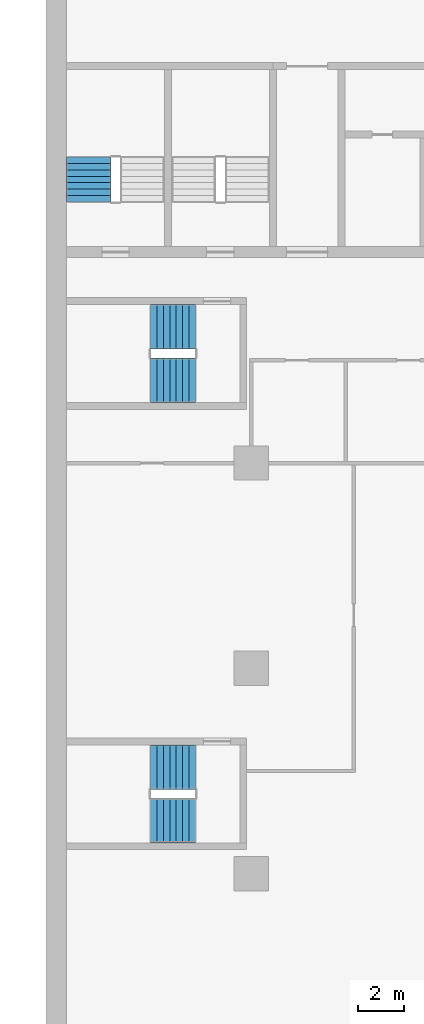
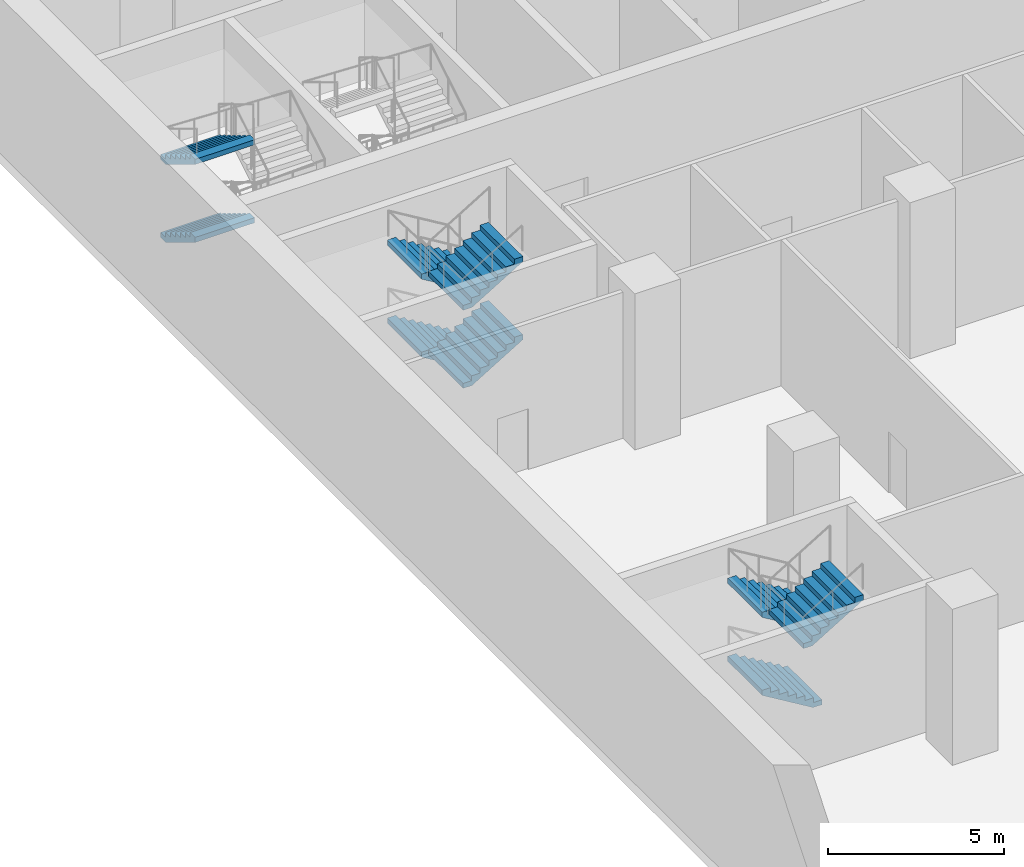
# One storey, part 25 of 44: 9 stair flights, 3 elements without a shape of their own.
"""IFC4 building model written with IfcOpenShell, lengths in metres."""

import ifcopenshell
import ifcopenshell.guid

model = None  # the IFC model being written
_history = None  # IfcOwnerHistory: only IFC2X3 demands one
_inside = {}  # id of a spatial element -> (the spatial element, [elements in it])
_under = {}  # id of a project, library or spatial element -> (it, [spatial elements below it])
_declared = {}  # id of a project -> (the project, [libraries it declares])
_typed = {}  # id of a type object -> (the type object, [elements of that type])
_made_of = {}  # id of a material, layer set ... -> (it, [elements and type objects made of it])


def new_model(schema):
    """Start an empty IFC model of exactly this schema.

    Asked for "IFC4X3", IfcOpenShell would pick the latest addendum, in which some entities
    have other attributes; the version numbers below select the first issue.
    IFC2X3 requires an IfcOwnerHistory on every rooted entity: one is made here for all.
    """
    global model, _history
    if schema == "IFC4X3":
        model = ifcopenshell.file(schema_version=(4, 3, 0, 0))
    else:
        model = ifcopenshell.file(schema=schema)
    _inside.clear()
    _under.clear()
    _declared.clear()
    _typed.clear()
    _made_of.clear()
    _history = None
    if model.schema == "IFC2X3":
        org = make("IfcOrganization", Name="unknown")
        user = make(
            "IfcPersonAndOrganization",
            ThePerson=make("IfcPerson", FamilyName="unknown"),
            TheOrganization=org,
        )
        app = make(
            "IfcApplication",
            ApplicationDeveloper=org,
            Version="unknown",
            ApplicationFullName="unknown",
            ApplicationIdentifier="unknown",
        )
        _history = make(
            "IfcOwnerHistory",
            OwningUser=user,
            OwningApplication=app,
            ChangeAction="ADDED",
            CreationDate=0,
        )
    return model


def make(cls, **values):
    """One entity of the class cls with the attributes given. An attribute that is None is left unset."""
    return model.create_entity(
        cls, **{name: value for name, value in values.items() if value is not None}
    )


def rooted(cls, **values):
    """An entity with a GlobalId (a new one), such as an element, a storey or a relation."""
    return make(cls, GlobalId=ifcopenshell.guid.new(), OwnerHistory=_history, **values)


def si_unit(unit_type, name, prefix=None):
    """IfcSIUnit, for example si_unit("LENGTHUNIT", "METRE", prefix="MILLI")."""
    return make("IfcSIUnit", UnitType=unit_type, Prefix=prefix, Name=name)


def assignment(units):
    """IfcUnitAssignment: the units of a project."""
    return None if units is None else make("IfcUnitAssignment", Units=units)


def point(xyz):
    """IfcCartesianPoint."""
    return None if xyz is None else make("IfcCartesianPoint", Coordinates=xyz)


def direction(xyz):
    """IfcDirection."""
    return None if xyz is None else make("IfcDirection", DirectionRatios=xyz)


def frame(location, z_axis=None, x_axis=None):
    """IfcAxis2Placement3D, a coordinate frame: its origin and axes. An axis left out is left unset."""
    return make(
        "IfcAxis2Placement3D",
        Location=point(location),
        Axis=direction(z_axis),
        RefDirection=direction(x_axis),
    )


def origin():
    """The frame at (0, 0, 0) with its axes left unset."""
    return frame((0.0, 0.0, 0.0))


def place(relative_to, where):
    """IfcLocalPlacement: puts the frame where relative to a parent placement (None: the world)."""
    return make(
        "IfcLocalPlacement", PlacementRelTo=relative_to, RelativePlacement=where
    )


def context(
    kind, dimensions, precision=None, world=None, true_north=None, identifier=None
):
    """IfcGeometricRepresentationContext, for example the 3D "Model" context."""
    return make(
        "IfcGeometricRepresentationContext",
        ContextIdentifier=identifier,
        ContextType=kind,
        CoordinateSpaceDimension=dimensions,
        Precision=precision,
        WorldCoordinateSystem=world,
        TrueNorth=true_north,
    )


def subcontext(parent, identifier, kind, view, scale=None):
    """IfcGeometricRepresentationSubContext, for example "Body" below "Model"."""
    return make(
        "IfcGeometricRepresentationSubContext",
        ContextIdentifier=identifier,
        ContextType=kind,
        ParentContext=parent,
        TargetScale=scale,
        TargetView=view,
    )


def project(units=None, contexts=None):
    """IfcProject with its units and contexts."""
    return rooted(
        "IfcProject",
        Name="project",
        RepresentationContexts=contexts,
        UnitsInContext=assignment(units),
    )


def spatial(cls, under=None, at=None, **own):
    """A site, building, storey or space (cls), placed at a placement, below another one or the project."""
    s = rooted(cls, ObjectPlacement=at, **own)
    if under is not None:
        _under.setdefault(under.id(), (under, []))[1].append(s)
    return s


def polyline(points):
    """IfcPolyline through the points."""
    return make("IfcPolyline", Points=[point(p) for p in points])


def outline(outer, holes=None, kind="AREA"):
    """IfcArbitraryClosedProfileDef: a profile drawn as a closed curve; with holes, ...WithVoids."""
    if holes is None:
        return make("IfcArbitraryClosedProfileDef", ProfileType=kind, OuterCurve=outer)
    return make(
        "IfcArbitraryProfileDefWithVoids",
        ProfileType=kind,
        OuterCurve=outer,
        InnerCurves=holes,
    )


def extrude(swept, where, along, depth):
    """IfcExtrudedAreaSolid: the profile swept, set in the frame where, extruded along a direction by depth."""
    return make(
        "IfcExtrudedAreaSolid",
        SweptArea=swept,
        Position=where,
        ExtrudedDirection=direction(along),
        Depth=depth,
    )


def shape(context_of_items, identifier, shape_type, items):
    """IfcShapeRepresentation: the items that make up one representation, for example the "Body"."""
    return make(
        "IfcShapeRepresentation",
        ContextOfItems=context_of_items,
        RepresentationIdentifier=identifier,
        RepresentationType=shape_type,
        Items=items,
    )


def material(Name=None, Category=None):
    """IfcMaterial."""
    return make("IfcMaterial", Name=Name, Category=Category)


def made_of(thing, what):
    """Note that an element or type object is made of a material, layer set ...; save() writes the relation."""
    if what is not None:
        _made_of.setdefault(what.id(), (what, []))[1].append(thing)
    return thing


def type_object(cls, material=None, **own):
    """A type object (cls), such as IfcWallType, which elements share."""
    return made_of(rooted(cls, **own), material)


def element(
    cls,
    number,
    at=None,
    inside=None,
    cuts=None,
    type_object=None,
    material=None,
    context=None,
    identifier="Body",
    shape_type=None,
    held_by="IfcProductDefinitionShape",
    body=None,
    shapes=None,
    **own,
):
    """One element of the class cls, such as IfcWall. Its Tag is "e" and its number.

    at: its placement. inside: the storey or other place that contains it. cuts: it is an
    opening in that element (IfcRelVoidsElement). A single representation is given by context,
    identifier, shape_type and body (its items); several are given by shapes. held_by: the class
    of the entity that holds the representations. save() writes the other relations.
    """
    e = rooted(cls, Tag="e%d" % number, ObjectPlacement=at, **own)
    if body is not None:
        shapes = [shape(context, identifier, shape_type, body)]
    if shapes is not None:
        e.Representation = make(held_by, Representations=shapes)
    if inside is not None:
        _inside.setdefault(inside.id(), (inside, []))[1].append(e)
    if cuts is not None:
        rooted(
            "IfcRelVoidsElement", RelatingBuildingElement=cuts, RelatedOpeningElement=e
        )
    if type_object is not None:
        _typed.setdefault(type_object.id(), (type_object, []))[1].append(e)
    return made_of(e, material)


def aggregate(whole, parts):
    """IfcRelAggregates: a whole, such as a stair, and the parts it consists of."""
    return rooted("IfcRelAggregates", RelatingObject=whole, RelatedObjects=parts)


def save(model, path):
    """Write the relations noted so far, then the file.

    IfcRelAggregates (storeys below a building ...), IfcRelContainedInSpatialStructure (elements
    in a storey), IfcRelDefinesByType, IfcRelAssociatesMaterial and IfcRelDeclares: one each for
    every whole, place, type object, material and project.
    """
    for whole, parts in _under.values():
        aggregate(whole, parts)
    for where, things in _inside.values():
        rooted(
            "IfcRelContainedInSpatialStructure",
            RelatedElements=things,
            RelatingStructure=where,
        )
    for kind, things in _typed.values():
        rooted("IfcRelDefinesByType", RelatedObjects=things, RelatingType=kind)
    for what, things in _made_of.values():
        rooted("IfcRelAssociatesMaterial", RelatedObjects=things, RelatingMaterial=what)
    for by, libraries in _declared.values():
        rooted("IfcRelDeclares", RelatingContext=by, RelatedDefinitions=libraries)
    model.write(path)


model = new_model("IFC4")

# Units and contexts
model_context = context("Model", 3, precision=1e-05, world=origin(), true_north=direction((0.0, 1.0)))
body_context = subcontext(model_context, "Body", "Model", "MODEL_VIEW")
ifc_project = project(units=[si_unit("LENGTHUNIT", "METRE"), si_unit("AREAUNIT", "SQUARE_METRE"), si_unit("VOLUMEUNIT", "CUBIC_METRE"), si_unit("PLANEANGLEUNIT", "RADIAN"), si_unit("MASSUNIT", "GRAM", prefix="KILO")], contexts=[model_context])

# Site, building, storey
site_placement = place(None, origin())
site = spatial("IfcSite", under=ifc_project, at=site_placement, CompositionType="ELEMENT")
building_placement = place(site_placement, origin())
building = spatial("IfcBuilding", under=site, at=building_placement, Name="Hunhe Ridgeline Campus", CompositionType="ELEMENT")
storey_placement = place(building_placement, frame((0.0, 0.0, 6.0)))
storey = spatial("IfcBuildingStorey", under=building, at=storey_placement, Name="L01", CompositionType="ELEMENT", Elevation=6.0)

# Stair, stair flights
ifc_material = material(Name="Concrete C40", Category="concrete")
stair_type = type_object("IfcStairType", Name="Reinforced concrete dog-leg stair 1950 Concrete C40", PredefinedType="HALF_TURN_STAIR", material=ifc_material)
stair_1_placement = place(storey_placement, origin())
stair_1 = element("IfcStair", 1, at=stair_1_placement, inside=storey, type_object=stair_type, Name="L01 S3", PredefinedType="HALF_TURN_STAIR")
stair_flight_type = type_object("IfcStairFlightType", Name="Reinforced concrete stair flight 1950 Concrete C40", PredefinedType="STRAIGHT", material=ifc_material)
stair_flight_1_placement = place(storey_placement, frame((1.875, 67.409912109375, 1.35009765625), z_axis=(0.0, 0.0, 1.0), x_axis=(0.0, -1.0, 0.0)))
stair_flight_1 = element("IfcStairFlight", 2, at=stair_flight_1_placement, type_object=stair_flight_type, Name="ST3 flight 2", NumberOfRisers=8, NumberOfTreads=7, PredefinedType="STRAIGHT", RiserHeight=0.16875, TreadLength=0.28, context=body_context, shape_type="SweptSolid", body=[
    extrude(outline(polyline([(0.0, 0.0), (0.0, 0.168701171875), (0.280029296875, 0.168701171875), (0.280029296875, 0.33740234375), (0.56005859375, 0.33740234375), (0.56005859375, 0.50634765625), (0.840087890625, 0.50634765625), (0.840087890625, 0.675048828125), (1.1201171875, 0.675048828125), (1.1201171875, 0.84375), (1.39990234375, 0.84375), (1.39990234375, 1.012451171875), (1.679931640625, 1.012451171875), (1.679931640625, 1.18115234375), (1.9599609375, 1.18115234375), (1.9599609375, 1.35009765625), (1.9599609375, 1.00634765625), (0.29052734375, 0.0), (0.0, 0.0)])), frame((0.0, 0.97509765625, 0.0), z_axis=(0.0, -1.0, 0.0), x_axis=(1.0, 0.0, 0.0)), (0.0, 0.0, 1.0), 1.949951171875),
    extrude(outline(polyline([(0.030029296875, 0.030029296875), (0.030029296875, 0.138916015625), (0.31005859375, 0.138916015625), (0.31005859375, 0.3076171875), (0.590087890625, 0.3076171875), (0.590087890625, 0.476318359375), (0.8701171875, 0.476318359375), (0.8701171875, 0.64501953125), (1.14990234375, 0.64501953125), (1.14990234375, 0.813720703125), (1.429931640625, 0.813720703125), (1.429931640625, 0.982421875), (1.7099609375, 0.982421875), (1.7099609375, 1.1513671875), (1.929931640625, 1.1513671875), (1.929931640625, 1.023193359375), (0.281982421875, 0.030029296875), (0.030029296875, 0.030029296875)])), frame((0.0, -0.070068359375, 0.0), z_axis=(0.0, -1.0, 0.0), x_axis=(1.0, 0.0, 0.0)), (0.0, 0.0, 1.0), 0.019775390625),
    extrude(outline(polyline([(0.030029296875, 0.030029296875), (0.030029296875, 0.138916015625), (0.31005859375, 0.138916015625), (0.31005859375, 0.3076171875), (0.590087890625, 0.3076171875), (0.590087890625, 0.476318359375), (0.8701171875, 0.476318359375), (0.8701171875, 0.64501953125), (1.14990234375, 0.64501953125), (1.14990234375, 0.813720703125), (1.429931640625, 0.813720703125), (1.429931640625, 0.982421875), (1.7099609375, 0.982421875), (1.7099609375, 1.1513671875), (1.929931640625, 1.1513671875), (1.929931640625, 1.023193359375), (0.281982421875, 0.030029296875), (0.030029296875, 0.030029296875)])), frame((0.0, 0.010009765625, 0.0), z_axis=(0.0, -1.0, 0.0), x_axis=(1.0, 0.0, 0.0)), (0.0, 0.0, 1.0), 0.019775390625),
    extrude(outline(polyline([(0.030029296875, 0.030029296875), (0.030029296875, 0.138916015625), (0.31005859375, 0.138916015625), (0.31005859375, 0.3076171875), (0.590087890625, 0.3076171875), (0.590087890625, 0.476318359375), (0.8701171875, 0.476318359375), (0.8701171875, 0.64501953125), (1.14990234375, 0.64501953125), (1.14990234375, 0.813720703125), (1.429931640625, 0.813720703125), (1.429931640625, 0.982421875), (1.7099609375, 0.982421875), (1.7099609375, 1.1513671875), (1.929931640625, 1.1513671875), (1.929931640625, 1.023193359375), (0.281982421875, 0.030029296875), (0.030029296875, 0.030029296875)])), frame((0.0, 0.090087890625, 0.0), z_axis=(0.0, -1.0, 0.0), x_axis=(1.0, 0.0, 0.0)), (0.0, 0.0, 1.0), 0.019775390625),
])
stair_flight_2_placement = place(storey_placement, frame((1.875, 67.409912109375, 4.050048828125), z_axis=(0.0, 0.0, 1.0), x_axis=(0.0, -1.0, 0.0)))
stair_flight_2 = element("IfcStairFlight", 3, at=stair_flight_2_placement, type_object=stair_flight_type, Name="ST3 flight 4", NumberOfRisers=8, NumberOfTreads=7, PredefinedType="STRAIGHT", RiserHeight=0.16875, TreadLength=0.28, context=body_context, shape_type="SweptSolid", body=[
    extrude(outline(polyline([(0.0, 0.0), (0.0, 0.168701171875), (0.280029296875, 0.168701171875), (0.280029296875, 0.33740234375), (0.56005859375, 0.33740234375), (0.56005859375, 0.50634765625), (0.840087890625, 0.50634765625), (0.840087890625, 0.675048828125), (1.1201171875, 0.675048828125), (1.1201171875, 0.84375), (1.39990234375, 0.84375), (1.39990234375, 1.012451171875), (1.679931640625, 1.012451171875), (1.679931640625, 1.18115234375), (1.9599609375, 1.18115234375), (1.9599609375, 1.35009765625), (1.9599609375, 1.00634765625), (0.29052734375, 0.0), (0.0, 0.0)])), frame((0.0, 0.97509765625, 0.0), z_axis=(0.0, -1.0, 0.0), x_axis=(1.0, 0.0, 0.0)), (0.0, 0.0, 1.0), 1.949951171875),
    extrude(outline(polyline([(0.030029296875, 0.030029296875), (0.030029296875, 0.138916015625), (0.31005859375, 0.138916015625), (0.31005859375, 0.3076171875), (0.590087890625, 0.3076171875), (0.590087890625, 0.476318359375), (0.8701171875, 0.476318359375), (0.8701171875, 0.64501953125), (1.14990234375, 0.64501953125), (1.14990234375, 0.813720703125), (1.429931640625, 0.813720703125), (1.429931640625, 0.982421875), (1.7099609375, 0.982421875), (1.7099609375, 1.1513671875), (1.929931640625, 1.1513671875), (1.929931640625, 1.023193359375), (0.281982421875, 0.030029296875), (0.030029296875, 0.030029296875)])), frame((0.0, -0.070068359375, 0.0), z_axis=(0.0, -1.0, 0.0), x_axis=(1.0, 0.0, 0.0)), (0.0, 0.0, 1.0), 0.019775390625),
    extrude(outline(polyline([(0.030029296875, 0.030029296875), (0.030029296875, 0.138916015625), (0.31005859375, 0.138916015625), (0.31005859375, 0.3076171875), (0.590087890625, 0.3076171875), (0.590087890625, 0.476318359375), (0.8701171875, 0.476318359375), (0.8701171875, 0.64501953125), (1.14990234375, 0.64501953125), (1.14990234375, 0.813720703125), (1.429931640625, 0.813720703125), (1.429931640625, 0.982421875), (1.7099609375, 0.982421875), (1.7099609375, 1.1513671875), (1.929931640625, 1.1513671875), (1.929931640625, 1.023193359375), (0.281982421875, 0.030029296875), (0.030029296875, 0.030029296875)])), frame((0.0, 0.010009765625, 0.0), z_axis=(0.0, -1.0, 0.0), x_axis=(1.0, 0.0, 0.0)), (0.0, 0.0, 1.0), 0.019775390625),
    extrude(outline(polyline([(0.030029296875, 0.030029296875), (0.030029296875, 0.138916015625), (0.31005859375, 0.138916015625), (0.31005859375, 0.3076171875), (0.590087890625, 0.3076171875), (0.590087890625, 0.476318359375), (0.8701171875, 0.476318359375), (0.8701171875, 0.64501953125), (1.14990234375, 0.64501953125), (1.14990234375, 0.813720703125), (1.429931640625, 0.813720703125), (1.429931640625, 0.982421875), (1.7099609375, 0.982421875), (1.7099609375, 1.1513671875), (1.929931640625, 1.1513671875), (1.929931640625, 1.023193359375), (0.281982421875, 0.030029296875), (0.030029296875, 0.030029296875)])), frame((0.0, 0.090087890625, 0.0), z_axis=(0.0, -1.0, 0.0), x_axis=(1.0, 0.0, 0.0)), (0.0, 0.0, 1.0), 0.019775390625),
])
aggregate(stair_1, [stair_flight_1, stair_flight_2])

stair_2_placement = place(storey_placement, origin())
stair_2 = element("IfcStair", 4, at=stair_2_placement, inside=storey, type_object=stair_type, Name="L01 W1", PredefinedType="HALF_TURN_STAIR")
stair_flight_3_placement = place(storey_placement, frame((6.550048828125, 40.675048828125, 0.0), z_axis=(0.0, 0.0, 1.0), x_axis=(-1.0, 0.0, 0.0)))
stair_flight_3 = element("IfcStairFlight", 5, at=stair_flight_3_placement, type_object=stair_flight_type, Name="ST11 flight 1", NumberOfRisers=8, NumberOfTreads=7, PredefinedType="STRAIGHT", RiserHeight=0.16875, TreadLength=0.28, context=body_context, shape_type="SweptSolid", body=[
    extrude(outline(polyline([(0.0, 0.0), (0.0, 0.168701171875), (0.280029296875, 0.168701171875), (0.280029296875, 0.33740234375), (0.56005859375, 0.33740234375), (0.56005859375, 0.50634765625), (0.840087890625, 0.50634765625), (0.840087890625, 0.675048828125), (1.1201171875, 0.675048828125), (1.1201171875, 0.84375), (1.39990234375, 0.84375), (1.39990234375, 1.012451171875), (1.679931640625, 1.012451171875), (1.679931640625, 1.18115234375), (1.9599609375, 1.18115234375), (1.9599609375, 1.35009765625), (1.9599609375, 1.00634765625), (0.29052734375, 0.0), (0.0, 0.0)])), frame((0.0, 0.97509765625, 0.0), z_axis=(0.0, -1.0, 0.0), x_axis=(1.0, 0.0, 0.0)), (0.0, 0.0, 1.0), 1.949951171875),
    extrude(outline(polyline([(0.030029296875, 0.030029296875), (0.030029296875, 0.138916015625), (0.31005859375, 0.138916015625), (0.31005859375, 0.3076171875), (0.590087890625, 0.3076171875), (0.590087890625, 0.476318359375), (0.8701171875, 0.476318359375), (0.8701171875, 0.64501953125), (1.14990234375, 0.64501953125), (1.14990234375, 0.813720703125), (1.429931640625, 0.813720703125), (1.429931640625, 0.982421875), (1.7099609375, 0.982421875), (1.7099609375, 1.1513671875), (1.929931640625, 1.1513671875), (1.929931640625, 1.023193359375), (0.281982421875, 0.030029296875), (0.030029296875, 0.030029296875)])), frame((0.0, -0.070068359375, 0.0), z_axis=(0.0, -1.0, 0.0), x_axis=(1.0, 0.0, 0.0)), (0.0, 0.0, 1.0), 0.019775390625),
    extrude(outline(polyline([(0.030029296875, 0.030029296875), (0.030029296875, 0.138916015625), (0.31005859375, 0.138916015625), (0.31005859375, 0.3076171875), (0.590087890625, 0.3076171875), (0.590087890625, 0.476318359375), (0.8701171875, 0.476318359375), (0.8701171875, 0.64501953125), (1.14990234375, 0.64501953125), (1.14990234375, 0.813720703125), (1.429931640625, 0.813720703125), (1.429931640625, 0.982421875), (1.7099609375, 0.982421875), (1.7099609375, 1.1513671875), (1.929931640625, 1.1513671875), (1.929931640625, 1.023193359375), (0.281982421875, 0.030029296875), (0.030029296875, 0.030029296875)])), frame((0.0, 0.010009765625, 0.0), z_axis=(0.0, -1.0, 0.0), x_axis=(1.0, 0.0, 0.0)), (0.0, 0.0, 1.0), 0.019775390625),
    extrude(outline(polyline([(0.030029296875, 0.030029296875), (0.030029296875, 0.138916015625), (0.31005859375, 0.138916015625), (0.31005859375, 0.3076171875), (0.590087890625, 0.3076171875), (0.590087890625, 0.476318359375), (0.8701171875, 0.476318359375), (0.8701171875, 0.64501953125), (1.14990234375, 0.64501953125), (1.14990234375, 0.813720703125), (1.429931640625, 0.813720703125), (1.429931640625, 0.982421875), (1.7099609375, 0.982421875), (1.7099609375, 1.1513671875), (1.929931640625, 1.1513671875), (1.929931640625, 1.023193359375), (0.281982421875, 0.030029296875), (0.030029296875, 0.030029296875)])), frame((0.0, 0.090087890625, 0.0), z_axis=(0.0, -1.0, 0.0), x_axis=(1.0, 0.0, 0.0)), (0.0, 0.0, 1.0), 0.019775390625),
])
stair_flight_4_placement = place(storey_placement, frame((6.550048828125, 40.675048828125, 2.699951171875), z_axis=(0.0, 0.0, 1.0), x_axis=(-1.0, 0.0, 0.0)))
stair_flight_4 = element("IfcStairFlight", 6, at=stair_flight_4_placement, type_object=stair_flight_type, Name="ST11 flight 3", NumberOfRisers=8, NumberOfTreads=7, PredefinedType="STRAIGHT", RiserHeight=0.16875, TreadLength=0.28, context=body_context, shape_type="SweptSolid", body=[
    extrude(outline(polyline([(0.0, 0.0), (0.0, 0.168701171875), (0.280029296875, 0.168701171875), (0.280029296875, 0.33740234375), (0.56005859375, 0.33740234375), (0.56005859375, 0.50634765625), (0.840087890625, 0.50634765625), (0.840087890625, 0.675048828125), (1.1201171875, 0.675048828125), (1.1201171875, 0.84375), (1.39990234375, 0.84375), (1.39990234375, 1.012451171875), (1.679931640625, 1.012451171875), (1.679931640625, 1.18115234375), (1.9599609375, 1.18115234375), (1.9599609375, 1.35009765625), (1.9599609375, 1.00634765625), (0.29052734375, 0.0), (0.0, 0.0)])), frame((0.0, 0.97509765625, 0.0), z_axis=(0.0, -1.0, 0.0), x_axis=(1.0, 0.0, 0.0)), (0.0, 0.0, 1.0), 1.949951171875),
    extrude(outline(polyline([(0.030029296875, 0.030029296875), (0.030029296875, 0.138916015625), (0.31005859375, 0.138916015625), (0.31005859375, 0.3076171875), (0.590087890625, 0.3076171875), (0.590087890625, 0.476318359375), (0.8701171875, 0.476318359375), (0.8701171875, 0.64501953125), (1.14990234375, 0.64501953125), (1.14990234375, 0.813720703125), (1.429931640625, 0.813720703125), (1.429931640625, 0.982421875), (1.7099609375, 0.982421875), (1.7099609375, 1.1513671875), (1.929931640625, 1.1513671875), (1.929931640625, 1.023193359375), (0.281982421875, 0.030029296875), (0.030029296875, 0.030029296875)])), frame((0.0, -0.070068359375, 0.0), z_axis=(0.0, -1.0, 0.0), x_axis=(1.0, 0.0, 0.0)), (0.0, 0.0, 1.0), 0.019775390625),
    extrude(outline(polyline([(0.030029296875, 0.030029296875), (0.030029296875, 0.138916015625), (0.31005859375, 0.138916015625), (0.31005859375, 0.3076171875), (0.590087890625, 0.3076171875), (0.590087890625, 0.476318359375), (0.8701171875, 0.476318359375), (0.8701171875, 0.64501953125), (1.14990234375, 0.64501953125), (1.14990234375, 0.813720703125), (1.429931640625, 0.813720703125), (1.429931640625, 0.982421875), (1.7099609375, 0.982421875), (1.7099609375, 1.1513671875), (1.929931640625, 1.1513671875), (1.929931640625, 1.023193359375), (0.281982421875, 0.030029296875), (0.030029296875, 0.030029296875)])), frame((0.0, 0.010009765625, 0.0), z_axis=(0.0, -1.0, 0.0), x_axis=(1.0, 0.0, 0.0)), (0.0, 0.0, 1.0), 0.019775390625),
    extrude(outline(polyline([(0.030029296875, 0.030029296875), (0.030029296875, 0.138916015625), (0.31005859375, 0.138916015625), (0.31005859375, 0.3076171875), (0.590087890625, 0.3076171875), (0.590087890625, 0.476318359375), (0.8701171875, 0.476318359375), (0.8701171875, 0.64501953125), (1.14990234375, 0.64501953125), (1.14990234375, 0.813720703125), (1.429931640625, 0.813720703125), (1.429931640625, 0.982421875), (1.7099609375, 0.982421875), (1.7099609375, 1.1513671875), (1.929931640625, 1.1513671875), (1.929931640625, 1.023193359375), (0.281982421875, 0.030029296875), (0.030029296875, 0.030029296875)])), frame((0.0, 0.090087890625, 0.0), z_axis=(0.0, -1.0, 0.0), x_axis=(1.0, 0.0, 0.0)), (0.0, 0.0, 1.0), 0.019775390625),
])
stair_flight_5_placement = place(storey_placement, frame((4.590087890625, 38.324951171875, 4.050048828125), z_axis=(0.0, 0.0, 1.0), x_axis=(1.0, 0.0, 0.0)))
stair_flight_5 = element("IfcStairFlight", 7, at=stair_flight_5_placement, type_object=stair_flight_type, Name="ST11 flight 4", NumberOfRisers=8, NumberOfTreads=7, PredefinedType="STRAIGHT", RiserHeight=0.16875, TreadLength=0.28, context=body_context, shape_type="SweptSolid", body=[
    extrude(outline(polyline([(0.0, 0.0), (0.0, 0.168701171875), (0.280029296875, 0.168701171875), (0.280029296875, 0.33740234375), (0.56005859375, 0.33740234375), (0.56005859375, 0.50634765625), (0.840087890625, 0.50634765625), (0.840087890625, 0.675048828125), (1.1201171875, 0.675048828125), (1.1201171875, 0.84375), (1.39990234375, 0.84375), (1.39990234375, 1.012451171875), (1.679931640625, 1.012451171875), (1.679931640625, 1.18115234375), (1.9599609375, 1.18115234375), (1.9599609375, 1.35009765625), (1.9599609375, 1.00634765625), (0.29052734375, 0.0), (0.0, 0.0)])), frame((0.0, 0.97509765625, 0.0), z_axis=(0.0, -1.0, 0.0), x_axis=(1.0, 0.0, 0.0)), (0.0, 0.0, 1.0), 1.949951171875),
    extrude(outline(polyline([(0.030029296875, 0.030029296875), (0.030029296875, 0.138916015625), (0.31005859375, 0.138916015625), (0.31005859375, 0.3076171875), (0.590087890625, 0.3076171875), (0.590087890625, 0.476318359375), (0.8701171875, 0.476318359375), (0.8701171875, 0.64501953125), (1.14990234375, 0.64501953125), (1.14990234375, 0.813720703125), (1.429931640625, 0.813720703125), (1.429931640625, 0.982421875), (1.7099609375, 0.982421875), (1.7099609375, 1.1513671875), (1.929931640625, 1.1513671875), (1.929931640625, 1.023193359375), (0.281982421875, 0.030029296875), (0.030029296875, 0.030029296875)])), frame((0.0, -0.070068359375, 0.0), z_axis=(0.0, -1.0, 0.0), x_axis=(1.0, 0.0, 0.0)), (0.0, 0.0, 1.0), 0.019775390625),
    extrude(outline(polyline([(0.030029296875, 0.030029296875), (0.030029296875, 0.138916015625), (0.31005859375, 0.138916015625), (0.31005859375, 0.3076171875), (0.590087890625, 0.3076171875), (0.590087890625, 0.476318359375), (0.8701171875, 0.476318359375), (0.8701171875, 0.64501953125), (1.14990234375, 0.64501953125), (1.14990234375, 0.813720703125), (1.429931640625, 0.813720703125), (1.429931640625, 0.982421875), (1.7099609375, 0.982421875), (1.7099609375, 1.1513671875), (1.929931640625, 1.1513671875), (1.929931640625, 1.023193359375), (0.281982421875, 0.030029296875), (0.030029296875, 0.030029296875)])), frame((0.0, 0.010009765625, 0.0), z_axis=(0.0, -1.0, 0.0), x_axis=(1.0, 0.0, 0.0)), (0.0, 0.0, 1.0), 0.019775390625),
    extrude(outline(polyline([(0.030029296875, 0.030029296875), (0.030029296875, 0.138916015625), (0.31005859375, 0.138916015625), (0.31005859375, 0.3076171875), (0.590087890625, 0.3076171875), (0.590087890625, 0.476318359375), (0.8701171875, 0.476318359375), (0.8701171875, 0.64501953125), (1.14990234375, 0.64501953125), (1.14990234375, 0.813720703125), (1.429931640625, 0.813720703125), (1.429931640625, 0.982421875), (1.7099609375, 0.982421875), (1.7099609375, 1.1513671875), (1.929931640625, 1.1513671875), (1.929931640625, 1.023193359375), (0.281982421875, 0.030029296875), (0.030029296875, 0.030029296875)])), frame((0.0, 0.090087890625, 0.0), z_axis=(0.0, -1.0, 0.0), x_axis=(1.0, 0.0, 0.0)), (0.0, 0.0, 1.0), 0.019775390625),
])
aggregate(stair_2, [stair_flight_3, stair_flight_4, stair_flight_5])

stair_3_placement = place(storey_placement, origin())
stair_3 = element("IfcStair", 8, at=stair_3_placement, inside=storey, type_object=stair_type, Name="L01 W2", PredefinedType="HALF_TURN_STAIR")
stair_flight_6_placement = place(storey_placement, frame((6.550048828125, 59.97509765625, 0.0), z_axis=(0.0, 0.0, 1.0), x_axis=(-1.0, 0.0, 0.0)))
stair_flight_6 = element("IfcStairFlight", 9, at=stair_flight_6_placement, type_object=stair_flight_type, Name="ST12 flight 1", NumberOfRisers=8, NumberOfTreads=7, PredefinedType="STRAIGHT", RiserHeight=0.16875, TreadLength=0.28, context=body_context, shape_type="SweptSolid", body=[
    extrude(outline(polyline([(0.0, 0.0), (0.0, 0.168701171875), (0.280029296875, 0.168701171875), (0.280029296875, 0.33740234375), (0.56005859375, 0.33740234375), (0.56005859375, 0.50634765625), (0.840087890625, 0.50634765625), (0.840087890625, 0.675048828125), (1.1201171875, 0.675048828125), (1.1201171875, 0.84375), (1.39990234375, 0.84375), (1.39990234375, 1.012451171875), (1.679931640625, 1.012451171875), (1.679931640625, 1.18115234375), (1.9599609375, 1.18115234375), (1.9599609375, 1.35009765625), (1.9599609375, 1.00634765625), (0.29052734375, 0.0), (0.0, 0.0)])), frame((0.0, 0.97509765625, 0.0), z_axis=(0.0, -1.0, 0.0), x_axis=(1.0, 0.0, 0.0)), (0.0, 0.0, 1.0), 1.949951171875),
    extrude(outline(polyline([(0.030029296875, 0.030029296875), (0.030029296875, 0.138916015625), (0.31005859375, 0.138916015625), (0.31005859375, 0.3076171875), (0.590087890625, 0.3076171875), (0.590087890625, 0.476318359375), (0.8701171875, 0.476318359375), (0.8701171875, 0.64501953125), (1.14990234375, 0.64501953125), (1.14990234375, 0.813720703125), (1.429931640625, 0.813720703125), (1.429931640625, 0.982421875), (1.7099609375, 0.982421875), (1.7099609375, 1.1513671875), (1.929931640625, 1.1513671875), (1.929931640625, 1.023193359375), (0.281982421875, 0.030029296875), (0.030029296875, 0.030029296875)])), frame((0.0, -0.070068359375, 0.0), z_axis=(0.0, -1.0, 0.0), x_axis=(1.0, 0.0, 0.0)), (0.0, 0.0, 1.0), 0.019775390625),
    extrude(outline(polyline([(0.030029296875, 0.030029296875), (0.030029296875, 0.138916015625), (0.31005859375, 0.138916015625), (0.31005859375, 0.3076171875), (0.590087890625, 0.3076171875), (0.590087890625, 0.476318359375), (0.8701171875, 0.476318359375), (0.8701171875, 0.64501953125), (1.14990234375, 0.64501953125), (1.14990234375, 0.813720703125), (1.429931640625, 0.813720703125), (1.429931640625, 0.982421875), (1.7099609375, 0.982421875), (1.7099609375, 1.1513671875), (1.929931640625, 1.1513671875), (1.929931640625, 1.023193359375), (0.281982421875, 0.030029296875), (0.030029296875, 0.030029296875)])), frame((0.0, 0.010009765625, 0.0), z_axis=(0.0, -1.0, 0.0), x_axis=(1.0, 0.0, 0.0)), (0.0, 0.0, 1.0), 0.019775390625),
    extrude(outline(polyline([(0.030029296875, 0.030029296875), (0.030029296875, 0.138916015625), (0.31005859375, 0.138916015625), (0.31005859375, 0.3076171875), (0.590087890625, 0.3076171875), (0.590087890625, 0.476318359375), (0.8701171875, 0.476318359375), (0.8701171875, 0.64501953125), (1.14990234375, 0.64501953125), (1.14990234375, 0.813720703125), (1.429931640625, 0.813720703125), (1.429931640625, 0.982421875), (1.7099609375, 0.982421875), (1.7099609375, 1.1513671875), (1.929931640625, 1.1513671875), (1.929931640625, 1.023193359375), (0.281982421875, 0.030029296875), (0.030029296875, 0.030029296875)])), frame((0.0, 0.090087890625, 0.0), z_axis=(0.0, -1.0, 0.0), x_axis=(1.0, 0.0, 0.0)), (0.0, 0.0, 1.0), 0.019775390625),
])
stair_flight_7_placement = place(storey_placement, frame((4.590087890625, 57.625, 1.35009765625), z_axis=(0.0, 0.0, 1.0), x_axis=(1.0, 0.0, 0.0)))
stair_flight_7 = element("IfcStairFlight", 10, at=stair_flight_7_placement, type_object=stair_flight_type, Name="ST12 flight 2", NumberOfRisers=8, NumberOfTreads=7, PredefinedType="STRAIGHT", RiserHeight=0.16875, TreadLength=0.28, context=body_context, shape_type="SweptSolid", body=[
    extrude(outline(polyline([(0.0, 0.0), (0.0, 0.168701171875), (0.280029296875, 0.168701171875), (0.280029296875, 0.33740234375), (0.56005859375, 0.33740234375), (0.56005859375, 0.50634765625), (0.840087890625, 0.50634765625), (0.840087890625, 0.675048828125), (1.1201171875, 0.675048828125), (1.1201171875, 0.84375), (1.39990234375, 0.84375), (1.39990234375, 1.012451171875), (1.679931640625, 1.012451171875), (1.679931640625, 1.18115234375), (1.9599609375, 1.18115234375), (1.9599609375, 1.35009765625), (1.9599609375, 1.00634765625), (0.29052734375, 0.0), (0.0, 0.0)])), frame((0.0, 0.97509765625, 0.0), z_axis=(0.0, -1.0, 0.0), x_axis=(1.0, 0.0, 0.0)), (0.0, 0.0, 1.0), 1.949951171875),
    extrude(outline(polyline([(0.030029296875, 0.030029296875), (0.030029296875, 0.138916015625), (0.31005859375, 0.138916015625), (0.31005859375, 0.3076171875), (0.590087890625, 0.3076171875), (0.590087890625, 0.476318359375), (0.8701171875, 0.476318359375), (0.8701171875, 0.64501953125), (1.14990234375, 0.64501953125), (1.14990234375, 0.813720703125), (1.429931640625, 0.813720703125), (1.429931640625, 0.982421875), (1.7099609375, 0.982421875), (1.7099609375, 1.1513671875), (1.929931640625, 1.1513671875), (1.929931640625, 1.023193359375), (0.281982421875, 0.030029296875), (0.030029296875, 0.030029296875)])), frame((0.0, -0.070068359375, 0.0), z_axis=(0.0, -1.0, 0.0), x_axis=(1.0, 0.0, 0.0)), (0.0, 0.0, 1.0), 0.019775390625),
    extrude(outline(polyline([(0.030029296875, 0.030029296875), (0.030029296875, 0.138916015625), (0.31005859375, 0.138916015625), (0.31005859375, 0.3076171875), (0.590087890625, 0.3076171875), (0.590087890625, 0.476318359375), (0.8701171875, 0.476318359375), (0.8701171875, 0.64501953125), (1.14990234375, 0.64501953125), (1.14990234375, 0.813720703125), (1.429931640625, 0.813720703125), (1.429931640625, 0.982421875), (1.7099609375, 0.982421875), (1.7099609375, 1.1513671875), (1.929931640625, 1.1513671875), (1.929931640625, 1.023193359375), (0.281982421875, 0.030029296875), (0.030029296875, 0.030029296875)])), frame((0.0, 0.010009765625, 0.0), z_axis=(0.0, -1.0, 0.0), x_axis=(1.0, 0.0, 0.0)), (0.0, 0.0, 1.0), 0.019775390625),
    extrude(outline(polyline([(0.030029296875, 0.030029296875), (0.030029296875, 0.138916015625), (0.31005859375, 0.138916015625), (0.31005859375, 0.3076171875), (0.590087890625, 0.3076171875), (0.590087890625, 0.476318359375), (0.8701171875, 0.476318359375), (0.8701171875, 0.64501953125), (1.14990234375, 0.64501953125), (1.14990234375, 0.813720703125), (1.429931640625, 0.813720703125), (1.429931640625, 0.982421875), (1.7099609375, 0.982421875), (1.7099609375, 1.1513671875), (1.929931640625, 1.1513671875), (1.929931640625, 1.023193359375), (0.281982421875, 0.030029296875), (0.030029296875, 0.030029296875)])), frame((0.0, 0.090087890625, 0.0), z_axis=(0.0, -1.0, 0.0), x_axis=(1.0, 0.0, 0.0)), (0.0, 0.0, 1.0), 0.019775390625),
])
stair_flight_8_placement = place(storey_placement, frame((6.550048828125, 59.97509765625, 2.699951171875), z_axis=(0.0, 0.0, 1.0), x_axis=(-1.0, 0.0, 0.0)))
stair_flight_8 = element("IfcStairFlight", 11, at=stair_flight_8_placement, type_object=stair_flight_type, Name="ST12 flight 3", NumberOfRisers=8, NumberOfTreads=7, PredefinedType="STRAIGHT", RiserHeight=0.16875, TreadLength=0.28, context=body_context, shape_type="SweptSolid", body=[
    extrude(outline(polyline([(0.0, 0.0), (0.0, 0.168701171875), (0.280029296875, 0.168701171875), (0.280029296875, 0.33740234375), (0.56005859375, 0.33740234375), (0.56005859375, 0.50634765625), (0.840087890625, 0.50634765625), (0.840087890625, 0.675048828125), (1.1201171875, 0.675048828125), (1.1201171875, 0.84375), (1.39990234375, 0.84375), (1.39990234375, 1.012451171875), (1.679931640625, 1.012451171875), (1.679931640625, 1.18115234375), (1.9599609375, 1.18115234375), (1.9599609375, 1.35009765625), (1.9599609375, 1.00634765625), (0.29052734375, 0.0), (0.0, 0.0)])), frame((0.0, 0.97509765625, 0.0), z_axis=(0.0, -1.0, 0.0), x_axis=(1.0, 0.0, 0.0)), (0.0, 0.0, 1.0), 1.949951171875),
    extrude(outline(polyline([(0.030029296875, 0.030029296875), (0.030029296875, 0.138916015625), (0.31005859375, 0.138916015625), (0.31005859375, 0.3076171875), (0.590087890625, 0.3076171875), (0.590087890625, 0.476318359375), (0.8701171875, 0.476318359375), (0.8701171875, 0.64501953125), (1.14990234375, 0.64501953125), (1.14990234375, 0.813720703125), (1.429931640625, 0.813720703125), (1.429931640625, 0.982421875), (1.7099609375, 0.982421875), (1.7099609375, 1.1513671875), (1.929931640625, 1.1513671875), (1.929931640625, 1.023193359375), (0.281982421875, 0.030029296875), (0.030029296875, 0.030029296875)])), frame((0.0, -0.070068359375, 0.0), z_axis=(0.0, -1.0, 0.0), x_axis=(1.0, 0.0, 0.0)), (0.0, 0.0, 1.0), 0.019775390625),
    extrude(outline(polyline([(0.030029296875, 0.030029296875), (0.030029296875, 0.138916015625), (0.31005859375, 0.138916015625), (0.31005859375, 0.3076171875), (0.590087890625, 0.3076171875), (0.590087890625, 0.476318359375), (0.8701171875, 0.476318359375), (0.8701171875, 0.64501953125), (1.14990234375, 0.64501953125), (1.14990234375, 0.813720703125), (1.429931640625, 0.813720703125), (1.429931640625, 0.982421875), (1.7099609375, 0.982421875), (1.7099609375, 1.1513671875), (1.929931640625, 1.1513671875), (1.929931640625, 1.023193359375), (0.281982421875, 0.030029296875), (0.030029296875, 0.030029296875)])), frame((0.0, 0.010009765625, 0.0), z_axis=(0.0, -1.0, 0.0), x_axis=(1.0, 0.0, 0.0)), (0.0, 0.0, 1.0), 0.019775390625),
    extrude(outline(polyline([(0.030029296875, 0.030029296875), (0.030029296875, 0.138916015625), (0.31005859375, 0.138916015625), (0.31005859375, 0.3076171875), (0.590087890625, 0.3076171875), (0.590087890625, 0.476318359375), (0.8701171875, 0.476318359375), (0.8701171875, 0.64501953125), (1.14990234375, 0.64501953125), (1.14990234375, 0.813720703125), (1.429931640625, 0.813720703125), (1.429931640625, 0.982421875), (1.7099609375, 0.982421875), (1.7099609375, 1.1513671875), (1.929931640625, 1.1513671875), (1.929931640625, 1.023193359375), (0.281982421875, 0.030029296875), (0.030029296875, 0.030029296875)])), frame((0.0, 0.090087890625, 0.0), z_axis=(0.0, -1.0, 0.0), x_axis=(1.0, 0.0, 0.0)), (0.0, 0.0, 1.0), 0.019775390625),
])
stair_flight_9_placement = place(storey_placement, frame((4.590087890625, 57.625, 4.050048828125), z_axis=(0.0, 0.0, 1.0), x_axis=(1.0, 0.0, 0.0)))
stair_flight_9 = element("IfcStairFlight", 12, at=stair_flight_9_placement, type_object=stair_flight_type, Name="ST12 flight 4", NumberOfRisers=8, NumberOfTreads=7, PredefinedType="STRAIGHT", RiserHeight=0.16875, TreadLength=0.28, context=body_context, shape_type="SweptSolid", body=[
    extrude(outline(polyline([(0.0, 0.0), (0.0, 0.168701171875), (0.280029296875, 0.168701171875), (0.280029296875, 0.33740234375), (0.56005859375, 0.33740234375), (0.56005859375, 0.50634765625), (0.840087890625, 0.50634765625), (0.840087890625, 0.675048828125), (1.1201171875, 0.675048828125), (1.1201171875, 0.84375), (1.39990234375, 0.84375), (1.39990234375, 1.012451171875), (1.679931640625, 1.012451171875), (1.679931640625, 1.18115234375), (1.9599609375, 1.18115234375), (1.9599609375, 1.35009765625), (1.9599609375, 1.00634765625), (0.29052734375, 0.0), (0.0, 0.0)])), frame((0.0, 0.97509765625, 0.0), z_axis=(0.0, -1.0, 0.0), x_axis=(1.0, 0.0, 0.0)), (0.0, 0.0, 1.0), 1.949951171875),
    extrude(outline(polyline([(0.030029296875, 0.030029296875), (0.030029296875, 0.138916015625), (0.31005859375, 0.138916015625), (0.31005859375, 0.3076171875), (0.590087890625, 0.3076171875), (0.590087890625, 0.476318359375), (0.8701171875, 0.476318359375), (0.8701171875, 0.64501953125), (1.14990234375, 0.64501953125), (1.14990234375, 0.813720703125), (1.429931640625, 0.813720703125), (1.429931640625, 0.982421875), (1.7099609375, 0.982421875), (1.7099609375, 1.1513671875), (1.929931640625, 1.1513671875), (1.929931640625, 1.023193359375), (0.281982421875, 0.030029296875), (0.030029296875, 0.030029296875)])), frame((0.0, -0.070068359375, 0.0), z_axis=(0.0, -1.0, 0.0), x_axis=(1.0, 0.0, 0.0)), (0.0, 0.0, 1.0), 0.019775390625),
    extrude(outline(polyline([(0.030029296875, 0.030029296875), (0.030029296875, 0.138916015625), (0.31005859375, 0.138916015625), (0.31005859375, 0.3076171875), (0.590087890625, 0.3076171875), (0.590087890625, 0.476318359375), (0.8701171875, 0.476318359375), (0.8701171875, 0.64501953125), (1.14990234375, 0.64501953125), (1.14990234375, 0.813720703125), (1.429931640625, 0.813720703125), (1.429931640625, 0.982421875), (1.7099609375, 0.982421875), (1.7099609375, 1.1513671875), (1.929931640625, 1.1513671875), (1.929931640625, 1.023193359375), (0.281982421875, 0.030029296875), (0.030029296875, 0.030029296875)])), frame((0.0, 0.010009765625, 0.0), z_axis=(0.0, -1.0, 0.0), x_axis=(1.0, 0.0, 0.0)), (0.0, 0.0, 1.0), 0.019775390625),
    extrude(outline(polyline([(0.030029296875, 0.030029296875), (0.030029296875, 0.138916015625), (0.31005859375, 0.138916015625), (0.31005859375, 0.3076171875), (0.590087890625, 0.3076171875), (0.590087890625, 0.476318359375), (0.8701171875, 0.476318359375), (0.8701171875, 0.64501953125), (1.14990234375, 0.64501953125), (1.14990234375, 0.813720703125), (1.429931640625, 0.813720703125), (1.429931640625, 0.982421875), (1.7099609375, 0.982421875), (1.7099609375, 1.1513671875), (1.929931640625, 1.1513671875), (1.929931640625, 1.023193359375), (0.281982421875, 0.030029296875), (0.030029296875, 0.030029296875)])), frame((0.0, 0.090087890625, 0.0), z_axis=(0.0, -1.0, 0.0), x_axis=(1.0, 0.0, 0.0)), (0.0, 0.0, 1.0), 0.019775390625),
])
aggregate(stair_3, [stair_flight_6, stair_flight_7, stair_flight_8, stair_flight_9])

save(model, "model.ifc")
